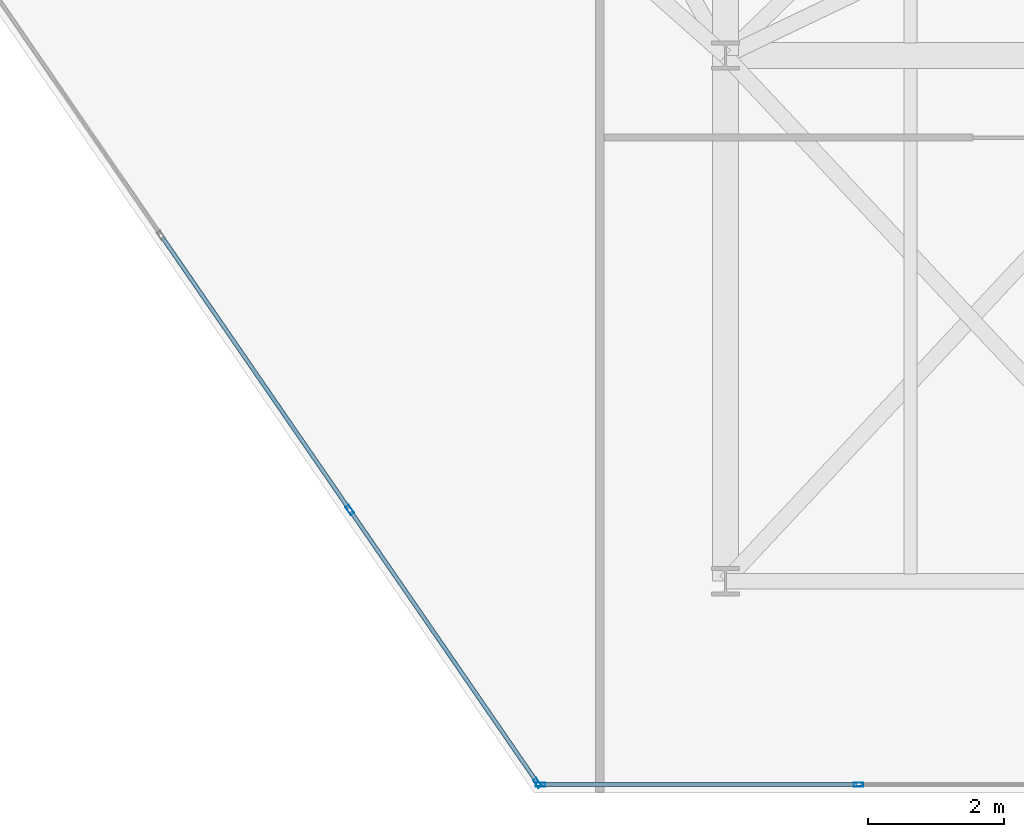
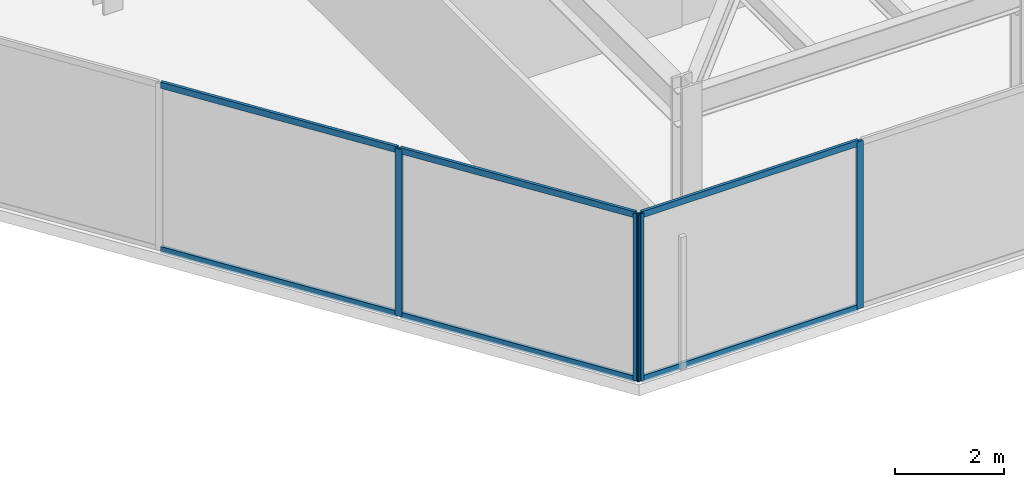
# One storey, part 10 of 21: 10 members, 2 elements without a shape of their own.
"""IFC4 building model written with IfcOpenShell, lengths in metres."""

from ifc_helpers import new_model, si_unit, direction, frame, origin, origin_2d, place, context, subcontext, project, spatial, hollow_rectangle, extrude, material, layer, layer_set, material_profile, profile_set, type_object, element, aggregate, save


model = new_model("IFC4")

# Units and contexts
model_context = context("Model", 3, precision=1e-05, world=origin(), true_north=direction((0.0, 1.0)))
body_context = subcontext(model_context, "Body", "Model", "MODEL_VIEW")
ifc_project = project(units=[si_unit("LENGTHUNIT", "METRE"), si_unit("AREAUNIT", "SQUARE_METRE"), si_unit("VOLUMEUNIT", "CUBIC_METRE"), si_unit("PLANEANGLEUNIT", "RADIAN"), si_unit("MASSUNIT", "GRAM", prefix="KILO")], contexts=[model_context])

# Site, building, storey
site_placement = place(None, origin())
site = spatial("IfcSite", under=ifc_project, at=site_placement, CompositionType="ELEMENT")
building_placement = place(site_placement, origin())
building = spatial("IfcBuilding", under=site, at=building_placement, Name="Kravanh Interchange Tower", CompositionType="ELEMENT")
storey_placement = place(building_placement, frame((0.0, 0.0, 168.5)))
storey = spatial("IfcBuildingStorey", under=building, at=storey_placement, Name="L40", CompositionType="ELEMENT", Elevation=168.5)

# Curtain wall, members
ifc_material_1 = material(Name="Anodised Bronze Aluminium", Category="aluminium")
ifc_layer = layer(ifc_material_1, 0.179931640625)
ifc_layer_set = layer_set([ifc_layer], Name="Unitised Curtain Wall System CW-Z3 Upper Office")
curtain_wall_type = type_object("IfcCurtainWallType", Name="Unitised Curtain Wall System CW-Z3 Upper Office", PredefinedType="NOTDEFINED", material=ifc_layer_set)
curtain_wall_1_placement = place(storey_placement, origin())
curtain_wall_1 = element("IfcCurtainWall", 1, at=curtain_wall_1_placement, inside=storey, type_object=curtain_wall_type, Name="L40 Unitised Curtain Wall CW-L40-02", PredefinedType="NOTDEFINED")
ifc_material_2 = material(Name="Anodised Bronze Aluminium", Category="aluminium")
ifc_material_profile_1 = material_profile(ifc_material_2, hollow_rectangle(XDim=0.06005859375, YDim=0.139892578125, WallThickness=0.00390625, at=origin_2d()), Name="ALU60X140X4")
ifc_profile_set_1 = profile_set([ifc_material_profile_1], Name="Anodised Bronze Aluminium")
member_type_1 = type_object("IfcMemberType", Name="Curtain Wall Mullion ALU60X140X4 Bronze", PredefinedType="MULLION", material=ifc_profile_set_1)
member_1_placement = place(storey_placement, frame((57.9521484375, 11.52001953125, 0.0), z_axis=(0.0, 0.0, 1.0), x_axis=(0.0, -1.0, 0.0)))
member_1 = element("IfcMember", 2, at=member_1_placement, type_object=member_type_1, Name="CW-Z3 mullion 2", PredefinedType="MULLION", context=body_context, shape_type="SweptSolid", body=[
    extrude(hollow_rectangle(XDim=0.06005859375, YDim=0.139892578125, WallThickness=0.00390625, at=origin_2d()), origin(), (0.0, 0.0, 1.0), 3.7548828125),
])
member_2_placement = place(storey_placement, frame((53.293212890625, 11.52001953125, 0.0), z_axis=(0.0, 0.0, 1.0), x_axis=(0.0, -1.0, 0.0)))
member_2 = element("IfcMember", 3, at=member_2_placement, type_object=member_type_1, Name="CW-Z3 mullion 3", PredefinedType="MULLION", context=body_context, shape_type="SweptSolid", body=[
    extrude(hollow_rectangle(XDim=0.06005859375, YDim=0.139892578125, WallThickness=0.00390625, at=origin_2d()), origin(), (0.0, 0.0, 1.0), 3.7548828125),
])

curtain_wall_2_placement = place(storey_placement, origin())
curtain_wall_2 = element("IfcCurtainWall", 4, at=curtain_wall_2_placement, inside=storey, type_object=curtain_wall_type, Name="L40 Unitised Curtain Wall CW-L40-03", PredefinedType="NOTDEFINED")
member_3_placement = place(storey_placement, frame((53.24609375, 11.544677734375, 0.0), z_axis=(0.0, 0.0, 1.0), x_axis=(-0.824042223035, -0.566528388217, 0.0)))
member_3 = element("IfcMember", 5, at=member_3_placement, type_object=member_type_1, Name="CW-Z3 mullion 1", PredefinedType="MULLION", context=body_context, shape_type="SweptSolid", body=[
    extrude(hollow_rectangle(XDim=0.06005859375, YDim=0.139892578125, WallThickness=0.00390625, at=origin_2d()), origin(), (0.0, 0.0, 1.0), 3.7548828125),
])
member_4_placement = place(storey_placement, frame((50.497314453125, 15.54296875, 0.0), z_axis=(0.0, 0.0, 1.0), x_axis=(-0.824042223035, -0.566528388217, 0.0)))
member_4 = element("IfcMember", 6, at=member_4_placement, type_object=member_type_1, Name="CW-Z3 mullion 2", PredefinedType="MULLION", context=body_context, shape_type="SweptSolid", body=[
    extrude(hollow_rectangle(XDim=0.06005859375, YDim=0.139892578125, WallThickness=0.00390625, at=origin_2d()), origin(), (0.0, 0.0, 1.0), 3.7548828125),
])

# Member
ifc_material_3 = material(Name="Anodised Bronze Aluminium", Category="aluminium")
ifc_material_profile_2 = material_profile(ifc_material_3, hollow_rectangle(XDim=0.06005859375, YDim=0.139892578125, WallThickness=0.00390625, at=origin_2d()), Name="ALU60X140X4")
ifc_profile_set_2 = profile_set([ifc_material_profile_2], Name="Anodised Bronze Aluminium")
member_type_2 = type_object("IfcMemberType", Name="Curtain Wall Transom ALU60X140X4 Bronze", PredefinedType="USERDEFINED", material=ifc_profile_set_2)
member_5_placement = place(storey_placement, frame((57.922119140625, 11.52001953125, 0.030029296875), z_axis=(-1.0, 0.0, 0.0), x_axis=(0.0, -1.0, 0.0)))
member_5 = element("IfcMember", 7, at=member_5_placement, type_object=member_type_2, Name="CW-Z3 transom 2.1", ObjectType="TRANSOM", PredefinedType="USERDEFINED", context=body_context, shape_type="SweptSolid", body=[
    extrude(hollow_rectangle(XDim=0.06005859375, YDim=0.139892578125, WallThickness=0.00390625, at=origin_2d()), origin(), (0.0, 0.0, 1.0), 4.59912109375),
])

member_6_placement = place(storey_placement, frame((57.922119140625, 11.52001953125, 3.72509765625), z_axis=(-1.0, 0.0, 0.0), x_axis=(0.0, -1.0, 0.0)))
member_6 = element("IfcMember", 8, at=member_6_placement, type_object=member_type_2, Name="CW-Z3 transom 2.2", ObjectType="TRANSOM", PredefinedType="USERDEFINED", context=body_context, shape_type="SweptSolid", body=[
    extrude(hollow_rectangle(XDim=0.06005859375, YDim=0.139892578125, WallThickness=0.00390625, at=origin_2d()), origin(), (0.0, 0.0, 1.0), 4.59912109375),
])

aggregate(curtain_wall_1, [member_1, member_2, member_5, member_6])

member_7_placement = place(storey_placement, frame((53.22900390625, 11.5693359375, 0.030029296875), z_axis=(-0.566483415384, 0.824073140016, 0.0), x_axis=(-0.824073140016, -0.566483415384, 0.0)))
member_7 = element("IfcMember", 9, at=member_7_placement, type_object=member_type_2, Name="CW-Z3 transom 1.1", ObjectType="TRANSOM", PredefinedType="USERDEFINED", context=body_context, shape_type="SweptSolid", body=[
    extrude(hollow_rectangle(XDim=0.06005859375, YDim=0.139892578125, WallThickness=0.00390625, at=origin_2d()), origin(), (0.0, 0.0, 1.0), 4.7919921875),
])

member_8_placement = place(storey_placement, frame((53.22900390625, 11.5693359375, 3.72509765625), z_axis=(-0.566483415384, 0.824073140016, 0.0), x_axis=(-0.824073140016, -0.566483415384, 0.0)))
member_8 = element("IfcMember", 10, at=member_8_placement, type_object=member_type_2, Name="CW-Z3 transom 1.2", ObjectType="TRANSOM", PredefinedType="USERDEFINED", context=body_context, shape_type="SweptSolid", body=[
    extrude(hollow_rectangle(XDim=0.06005859375, YDim=0.139892578125, WallThickness=0.00390625, at=origin_2d()), origin(), (0.0, 0.0, 1.0), 4.7919921875),
])

member_9_placement = place(storey_placement, frame((50.480224609375, 15.567626953125, 0.030029296875), z_axis=(-0.566503037389, 0.824059651135, 0.0), x_axis=(-0.824059651135, -0.566503037389, 0.0)))
member_9 = element("IfcMember", 11, at=member_9_placement, type_object=member_type_2, Name="CW-Z3 transom 2.1", ObjectType="TRANSOM", PredefinedType="USERDEFINED", context=body_context, shape_type="SweptSolid", body=[
    extrude(hollow_rectangle(XDim=0.06005859375, YDim=0.139892578125, WallThickness=0.00390625, at=origin_2d()), origin(), (0.0, 0.0, 1.0), 4.822021484375),
])

member_10_placement = place(storey_placement, frame((50.480224609375, 15.567626953125, 3.72509765625), z_axis=(-0.566503037389, 0.824059651135, 0.0), x_axis=(-0.824059651135, -0.566503037389, 0.0)))
member_10 = element("IfcMember", 12, at=member_10_placement, type_object=member_type_2, Name="CW-Z3 transom 2.2", ObjectType="TRANSOM", PredefinedType="USERDEFINED", context=body_context, shape_type="SweptSolid", body=[
    extrude(hollow_rectangle(XDim=0.06005859375, YDim=0.139892578125, WallThickness=0.00390625, at=origin_2d()), origin(), (0.0, 0.0, 1.0), 4.822021484375),
])

aggregate(curtain_wall_2, [member_3, member_4, member_7, member_8, member_9, member_10])

save(model, "model.ifc")
